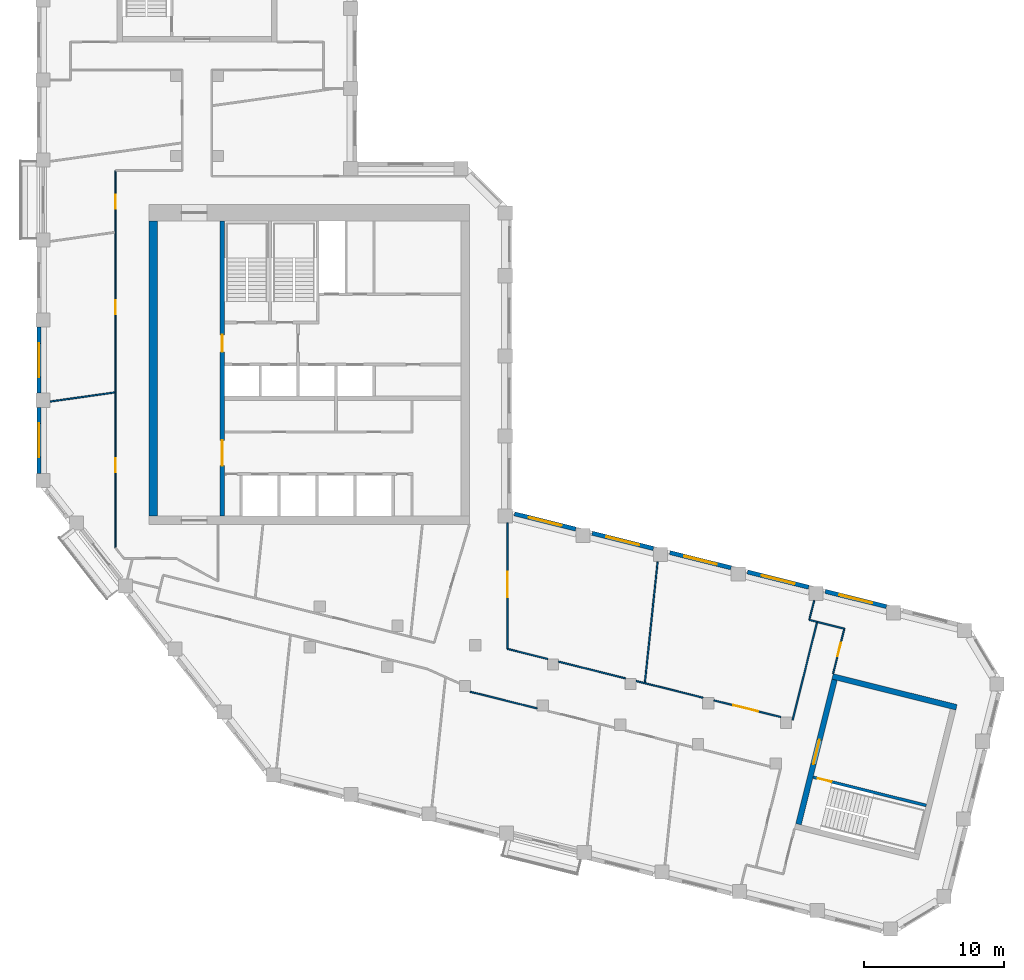
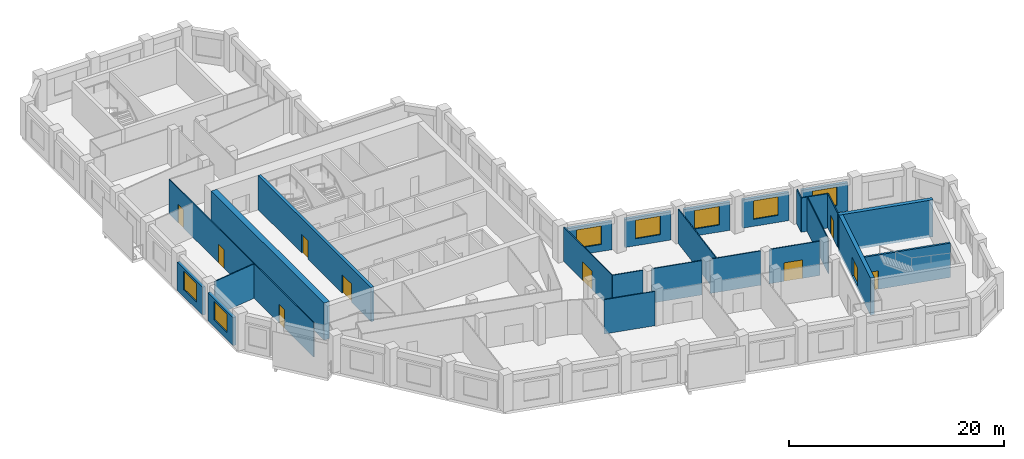
# One storey, part 4 of 9: 26 walls, 10 doors, 7 windows, 17 openings.
"""IFC4 building model written with IfcOpenShell, lengths in metres."""

from ifc_helpers import new_model, si_unit, direction, frame, frame_2d, origin, place, context, subcontext, project, spatial, rectangle, extrude, material, layer, layer_set, type_object, element, fill, save


model = new_model("IFC4")

# Units and contexts
model_context = context("Model", 3, precision=1e-05, world=origin(), true_north=direction((0.0, 1.0)))
body_context = subcontext(model_context, "Body", "Model", "MODEL_VIEW")
ifc_project = project(units=[si_unit("LENGTHUNIT", "METRE"), si_unit("AREAUNIT", "SQUARE_METRE"), si_unit("VOLUMEUNIT", "CUBIC_METRE"), si_unit("PLANEANGLEUNIT", "RADIAN"), si_unit("MASSUNIT", "GRAM", prefix="KILO")], contexts=[model_context])

# Site, building, storey
site_placement = place(None, origin())
site = spatial("IfcSite", under=ifc_project, at=site_placement, CompositionType="ELEMENT")
building_placement = place(site_placement, origin())
building = spatial("IfcBuilding", under=site, at=building_placement, Name="Meshkara Civic Tower", CompositionType="ELEMENT")
storey_placement = place(building_placement, frame((0.0, 0.0, 315.0)))
storey = spatial("IfcBuildingStorey", under=building, at=storey_placement, Name="L72", CompositionType="ELEMENT", Elevation=315.0)

# Wall
ifc_material_1 = material(Name="Concrete C60", Category="concrete")
ifc_layer_1 = layer(ifc_material_1, 0.60009765625)
ifc_layer_set_1 = layer_set([ifc_layer_1], Name="Core ring wall 600 C60")
wall_type_1 = type_object("IfcWallType", Name="Core ring wall 600 C60", PredefinedType="SHEAR", material=ifc_layer_set_1)
wall_1_placement = place(storey_placement, frame((8.300048828125, 14.699951171875, -0.300048828125), z_axis=(0.0, 0.0, 1.0), x_axis=(0.0, 1.0, 0.0)))
element("IfcWall", 1, at=wall_1_placement, inside=storey, type_object=wall_type_1, Name="L72-C003", PredefinedType="SHEAR", context=body_context, shape_type="SweptSolid", body=[
    extrude(rectangle(XDim=21.0, YDim=0.60009765625, at=frame_2d((10.5, 0.0))), origin(), (0.0, 0.0, 1.0), 4.199951171875),
])

# Wall, openings, doors
ifc_material_2 = material(Name="Concrete C60", Category="concrete")
ifc_layer_2 = layer(ifc_material_2, 0.300048828125)
ifc_layer_set_2 = layer_set([ifc_layer_2], Name="Core shear wall 300 C60")
wall_type_2 = type_object("IfcWallType", Name="Core shear wall 300 C60", PredefinedType="SHEAR", material=ifc_layer_set_2)
wall_2_placement = place(storey_placement, frame((13.199951171875, 14.699951171875, 0.0), z_axis=(0.0, 0.0, 1.0), x_axis=(0.0, 1.0, 0.0)))
wall_2 = element("IfcWall", 2, at=wall_2_placement, inside=storey, type_object=wall_type_2, Name="L72-C011", PredefinedType="SHEAR", context=body_context, shape_type="SweptSolid", body=[
    extrude(rectangle(XDim=21.0, YDim=0.300048828125, at=frame_2d((10.5, 0.0))), origin(), (0.0, 0.0, 1.0), 3.89990234375),
])
opening_1_placement = place(wall_2_placement, frame((3.60009765625, 0.0, 0.0)))
opening_1 = element("IfcOpeningElement", 3, at=opening_1_placement, cuts=wall_2, Name="Opening L72-K019", PredefinedType="OPENING", context=body_context, shape_type="SweptSolid", body=[
    extrude(rectangle(XDim=1.800048828125, YDim=2.10009765625, at=frame_2d((0.89990234375, 1.050048828125))), frame((0.0, 0.159912109375, 0.0), z_axis=(0.0, -1.0, 0.0), x_axis=(1.0, 0.0, 0.0)), (0.0, 0.0, 1.0), 0.320068359375),
])
opening_2_placement = place(wall_2_placement, frame((11.699951171875, 0.0, 0.0)))
opening_2 = element("IfcOpeningElement", 4, at=opening_2_placement, cuts=wall_2, Name="Opening L72-K020", PredefinedType="OPENING", context=body_context, shape_type="SweptSolid", body=[
    extrude(rectangle(XDim=1.199951171875, YDim=2.10009765625, at=frame_2d((0.60009765625, 1.050048828125))), frame((0.0, 0.159912109375, 0.0), z_axis=(0.0, -1.0, 0.0), x_axis=(1.0, 0.0, 0.0)), (0.0, 0.0, 1.0), 0.320068359375),
])
ifc_material_3 = material(Name="Fire-rated door leaf in steel frame", Category="steel")
door_type_1 = type_object("IfcDoorType", Name="Core double door 1800 EI 60", OperationType="DOUBLE_DOOR_SINGLE_SWING", PredefinedType="DOOR", material=ifc_material_3)
door_1_placement = place(opening_1_placement, origin())
door_1 = element("IfcDoor", 5, at=door_1_placement, inside=storey, type_object=door_type_1, Name="L72-K019", OperationType="DOUBLE_DOOR_SINGLE_SWING", OverallHeight=2.10009765625, OverallWidth=1.800048828125, PredefinedType="DOOR", context=body_context, shape_type="SweptSolid", body=[
    extrude(rectangle(XDim=1.800048828125, YDim=2.10009765625, at=frame_2d((0.89990234375, 1.050048828125))), frame((0.0, 0.02490234375, 0.0), z_axis=(0.0, -1.0, 0.0), x_axis=(1.0, 0.0, 0.0)), (0.0, 0.0, 1.0), 0.050048828125),
])
fill(opening_1, door_1)
ifc_material_4 = material(Name="Fire-rated door leaf in steel frame", Category="steel")
door_type_2 = type_object("IfcDoorType", Name="Fire-fighting lobby door 1200 EI 120", OperationType="SINGLE_SWING_LEFT", PredefinedType="DOOR", material=ifc_material_4)
door_2_placement = place(opening_2_placement, origin())
door_2 = element("IfcDoor", 6, at=door_2_placement, inside=storey, type_object=door_type_2, Name="L72-K020", OperationType="SINGLE_SWING_LEFT", OverallHeight=2.10009765625, OverallWidth=1.199951171875, PredefinedType="DOOR", context=body_context, shape_type="SweptSolid", body=[
    extrude(rectangle(XDim=1.199951171875, YDim=2.10009765625, at=frame_2d((0.60009765625, 1.050048828125))), frame((0.0, 0.02490234375, 0.0), z_axis=(0.0, -1.0, 0.0), x_axis=(1.0, 0.0, 0.0)), (0.0, 0.0, 1.0), 0.050048828125),
])
fill(opening_2, door_2)

ifc_material_5 = material(Name="Corridor wall 100")
ifc_layer_3 = layer(ifc_material_5, 0.10009765625)
ifc_layer_set_3 = layer_set([ifc_layer_3], Name="Corridor wall 100")
wall_type_3 = type_object("IfcWallType", Name="Corridor wall 100", PredefinedType="PARTITIONING", material=ifc_layer_set_3)
wall_3_placement = place(storey_placement, frame((5.60009765625, 12.449951171875, 0.0), z_axis=(0.0, 0.0, 1.0), x_axis=(0.0, 1.0, 0.0)))
wall_3 = element("IfcWall", 7, at=wall_3_placement, inside=storey, type_object=wall_type_3, Name="L72-W003", PredefinedType="PARTITIONING", context=body_context, shape_type="SweptSolid", body=[
    extrude(rectangle(XDim=26.85009765625, YDim=0.10009765625, at=frame_2d((13.425048828125, 0.0))), origin(), (0.0, 0.0, 1.0), 3.89990234375),
])
opening_3_placement = place(wall_3_placement, frame((5.3798828125, 0.0, 0.0)))
opening_3 = element("IfcOpeningElement", 8, at=opening_3_placement, cuts=wall_3, Name="Opening L72-D013", PredefinedType="OPENING", context=body_context, shape_type="SweptSolid", body=[
    extrude(rectangle(XDim=1.0, YDim=2.10009765625, at=frame_2d((0.5, 1.050048828125))), frame((0.0, 0.06005859375, 0.0), z_axis=(0.0, -1.0, 0.0), x_axis=(1.0, 0.0, 0.0)), (0.0, 0.0, 1.0), 0.1201171875),
])
opening_4_placement = place(wall_3_placement, frame((16.638916015625, 0.0, 0.0)))
opening_4 = element("IfcOpeningElement", 9, at=opening_4_placement, cuts=wall_3, Name="Opening L72-D014", PredefinedType="OPENING", context=body_context, shape_type="SweptSolid", body=[
    extrude(rectangle(XDim=1.0, YDim=2.10009765625, at=frame_2d((0.5, 1.050048828125))), frame((0.0, 0.06005859375, 0.0), z_axis=(0.0, -1.0, 0.0), x_axis=(1.0, 0.0, 0.0)), (0.0, 0.0, 1.0), 0.1201171875),
])
opening_5_placement = place(wall_3_placement, frame((24.138916015625, 0.0, 0.0)))
opening_5 = element("IfcOpeningElement", 10, at=opening_5_placement, cuts=wall_3, Name="Opening L72-D015", PredefinedType="OPENING", context=body_context, shape_type="SweptSolid", body=[
    extrude(rectangle(XDim=1.0, YDim=2.10009765625, at=frame_2d((0.5, 1.050048828125))), frame((0.0, 0.06005859375, 0.0), z_axis=(0.0, -1.0, 0.0), x_axis=(1.0, 0.0, 0.0)), (0.0, 0.0, 1.0), 0.1201171875),
])
ifc_material_6 = material(Name="Door 1000 x 2100")
door_type_3 = type_object("IfcDoorType", Name="Door 1000 x 2100", OperationType="SINGLE_SWING_LEFT", PredefinedType="DOOR", material=ifc_material_6)
door_3_placement = place(opening_3_placement, origin())
door_3 = element("IfcDoor", 11, at=door_3_placement, inside=storey, type_object=door_type_3, Name="L72-D013", OperationType="SINGLE_SWING_RIGHT", OverallHeight=2.10009765625, OverallWidth=1.0, PredefinedType="DOOR", context=body_context, shape_type="SweptSolid", body=[
    extrude(rectangle(XDim=1.0, YDim=2.10009765625, at=frame_2d((0.5, 1.050048828125))), frame((0.0, 0.02490234375, 0.0), z_axis=(0.0, -1.0, 0.0), x_axis=(1.0, 0.0, 0.0)), (0.0, 0.0, 1.0), 0.050048828125),
])
fill(opening_3, door_3)
door_4_placement = place(opening_4_placement, origin())
door_4 = element("IfcDoor", 12, at=door_4_placement, inside=storey, type_object=door_type_3, Name="L72-D014", OperationType="SINGLE_SWING_RIGHT", OverallHeight=2.10009765625, OverallWidth=1.0, PredefinedType="DOOR", context=body_context, shape_type="SweptSolid", body=[
    extrude(rectangle(XDim=1.0, YDim=2.10009765625, at=frame_2d((0.5, 1.050048828125))), frame((0.0, 0.02490234375, 0.0), z_axis=(0.0, -1.0, 0.0), x_axis=(1.0, 0.0, 0.0)), (0.0, 0.0, 1.0), 0.050048828125),
])
fill(opening_4, door_4)
door_5_placement = place(opening_5_placement, origin())
door_5 = element("IfcDoor", 13, at=door_5_placement, inside=storey, type_object=door_type_3, Name="L72-D015", OperationType="SINGLE_SWING_LEFT", OverallHeight=2.10009765625, OverallWidth=1.0, PredefinedType="DOOR", context=body_context, shape_type="SweptSolid", body=[
    extrude(rectangle(XDim=1.0, YDim=2.10009765625, at=frame_2d((0.5, 1.050048828125))), frame((0.0, 0.02490234375, 0.0), z_axis=(0.0, -1.0, 0.0), x_axis=(1.0, 0.0, 0.0)), (0.0, 0.0, 1.0), 0.050048828125),
])
fill(opening_5, door_5)

# Wall
wall_4_placement = place(storey_placement, frame((30.84912109375, 2.201904296875, 0.0), z_axis=(0.0, 0.0, 1.0), x_axis=(0.970320559999, -0.241822271189, 0.0)))
element("IfcWall", 14, at=wall_4_placement, inside=storey, type_object=wall_type_3, Name="L72-W020", PredefinedType="PARTITIONING", context=body_context, shape_type="SweptSolid", body=[
    extrude(rectangle(XDim=4.91259765625, YDim=0.10009765625, at=frame_2d((2.456298828125, 0.0))), origin(), (0.0, 0.0, 1.0), 3.89990234375),
])

# Wall, opening, door
wall_5_placement = place(storey_placement, frame((33.5, 5.2509765625, 0.0), z_axis=(0.0, 0.0, 1.0), x_axis=(0.0, 1.0, 0.0)))
wall_5 = element("IfcWall", 15, at=wall_5_placement, inside=storey, type_object=wall_type_3, Name="L72-W022", PredefinedType="PARTITIONING", context=body_context, shape_type="SweptSolid", body=[
    extrude(rectangle(XDim=8.968017578125, YDim=0.10009765625, at=frame_2d((4.48388671875, 0.0))), origin(), (0.0, 0.0, 1.0), 3.89990234375),
])
opening_6_placement = place(wall_5_placement, frame((3.679931640625, 0.0, 0.0)))
opening_6 = element("IfcOpeningElement", 16, at=opening_6_placement, cuts=wall_5, Name="Opening L72-D012", PredefinedType="OPENING", context=body_context, shape_type="SweptSolid", body=[
    extrude(rectangle(XDim=1.800048828125, YDim=2.10009765625, at=frame_2d((0.89990234375, 1.050048828125))), frame((0.0, 0.06005859375, 0.0), z_axis=(0.0, -1.0, 0.0), x_axis=(1.0, 0.0, 0.0)), (0.0, 0.0, 1.0), 0.1201171875),
])
ifc_material_7 = material(Name="Door pair 1800 x 2100")
door_type_4 = type_object("IfcDoorType", Name="Door pair 1800 x 2100", OperationType="SINGLE_SWING_LEFT", PredefinedType="DOOR", material=ifc_material_7)
door_6_placement = place(opening_6_placement, origin())
door_6 = element("IfcDoor", 17, at=door_6_placement, inside=storey, type_object=door_type_4, Name="L72-D012", OperationType="DOUBLE_DOOR_SINGLE_SWING", OverallHeight=2.10009765625, OverallWidth=1.800048828125, PredefinedType="DOOR", context=body_context, shape_type="SweptSolid", body=[
    extrude(rectangle(XDim=1.800048828125, YDim=2.10009765625, at=frame_2d((0.89990234375, 1.050048828125))), frame((0.0, 0.02490234375, 0.0), z_axis=(0.0, -1.0, 0.0), x_axis=(1.0, 0.0, 0.0)), (0.0, 0.0, 1.0), 0.050048828125),
])
fill(opening_6, door_6)

# Walls
wall_6_placement = place(storey_placement, frame((36.376953125, 4.533935546875, 0.0), z_axis=(0.0, 0.0, 1.0), x_axis=(-0.97031662044, 0.241838078261, 0.0)))
element("IfcWall", 18, at=wall_6_placement, inside=storey, type_object=wall_type_3, Name="L72-W024", PredefinedType="PARTITIONING", context=body_context, shape_type="SweptSolid", body=[
    extrude(rectangle(XDim=2.96484375, YDim=0.10009765625, at=frame_2d((1.482421875, 0.0))), origin(), (0.0, 0.0, 1.0), 3.89990234375),
])
wall_7_placement = place(storey_placement, frame((41.908935546875, 3.155029296875, 0.0), z_axis=(0.0, 0.0, 1.0), x_axis=(-0.970320559999, 0.241822271189, 0.0)))
element("IfcWall", 19, at=wall_7_placement, inside=storey, type_object=wall_type_3, Name="L72-W026", PredefinedType="PARTITIONING", context=body_context, shape_type="SweptSolid", body=[
    extrude(rectangle(XDim=4.91259765625, YDim=0.10009765625, at=frame_2d((2.456298828125, 0.0))), origin(), (0.0, 0.0, 1.0), 3.89990234375),
])
wall_8_placement = place(storey_placement, frame((42.672119140625, 2.965087890625, 0.0), z_axis=(0.0, 0.0, 1.0), x_axis=(0.970273873313, -0.242009526187, 0.0)))
element("IfcWall", 20, at=wall_8_placement, inside=storey, type_object=wall_type_3, Name="L72-W027", PredefinedType="PARTITIONING", context=body_context, shape_type="SweptSolid", body=[
    extrude(rectangle(XDim=4.913818359375, YDim=0.10009765625, at=frame_2d((2.45703125, 0.0))), origin(), (0.0, 0.0, 1.0), 3.89990234375),
])

# Wall, opening, door
wall_9_placement = place(storey_placement, frame((52.971923828125, 0.39697265625, 0.0), z_axis=(0.0, 0.0, 1.0), x_axis=(-0.970300077675, 0.241904442422, 0.0)))
wall_9 = element("IfcWall", 21, at=wall_9_placement, inside=storey, type_object=wall_type_3, Name="L72-W031", PredefinedType="PARTITIONING", context=body_context, shape_type="SweptSolid", body=[
    extrude(rectangle(XDim=4.9150390625, YDim=0.10009765625, at=frame_2d((2.45751953125, 0.0))), origin(), (0.0, 0.0, 1.0), 3.89990234375),
])
opening_7_placement = place(wall_9_placement, frame((1.679931640625, 0.0, 0.0)))
opening_7 = element("IfcOpeningElement", 22, at=opening_7_placement, cuts=wall_9, Name="Opening L72-D006", PredefinedType="OPENING", context=body_context, shape_type="SweptSolid", body=[
    extrude(rectangle(XDim=1.800048828125, YDim=2.10009765625, at=frame_2d((0.89990234375, 1.050048828125))), frame((0.0, 0.06005859375, 0.0), z_axis=(0.0, -1.0, 0.0), x_axis=(1.0, 0.0, 0.0)), (0.0, 0.0, 1.0), 0.1201171875),
])
door_7_placement = place(opening_7_placement, origin())
door_7 = element("IfcDoor", 23, at=door_7_placement, inside=storey, type_object=door_type_4, Name="L72-D006", OperationType="DOUBLE_DOOR_SINGLE_SWING", OverallHeight=2.10009765625, OverallWidth=1.800048828125, PredefinedType="DOOR", context=body_context, shape_type="SweptSolid", body=[
    extrude(rectangle(XDim=1.800048828125, YDim=2.10009765625, at=frame_2d((0.89990234375, 1.050048828125))), frame((0.0, 0.02490234375, 0.0), z_axis=(0.0, -1.0, 0.0), x_axis=(1.0, 0.0, 0.0)), (0.0, 0.0, 1.0), 0.050048828125),
])
fill(opening_7, door_7)

# Wall
wall_10_placement = place(storey_placement, frame((55.555908203125, 7.173095703125, 0.0), z_axis=(0.0, 0.0, 1.0), x_axis=(-0.241937193493, -0.970291911955, 0.0)))
element("IfcWall", 24, at=wall_10_placement, inside=storey, type_object=wall_type_3, Name="L72-W033", PredefinedType="PARTITIONING", context=body_context, shape_type="SweptSolid", body=[
    extrude(rectangle(XDim=7.199951171875, YDim=0.10009765625, at=frame_2d((3.60009765625, 0.0))), origin(), (0.0, 0.0, 1.0), 3.89990234375),
])

# Wall, opening, door
wall_11_placement = place(storey_placement, frame((56.697998046875, 3.487060546875, 0.0), z_axis=(0.0, 0.0, 1.0), x_axis=(0.241856645367, 0.970311992656, 0.0)))
wall_11 = element("IfcWall", 25, at=wall_11_placement, inside=storey, type_object=wall_type_3, Name="L72-W034", PredefinedType="PARTITIONING", context=body_context, shape_type="SweptSolid", body=[
    extrude(rectangle(XDim=3.2998046875, YDim=0.10009765625, at=frame_2d((1.64990234375, 0.0))), origin(), (0.0, 0.0, 1.0), 3.89990234375),
])
opening_8_placement = place(wall_11_placement, frame((1.280029296875, 0.0, 0.0)))
opening_8 = element("IfcOpeningElement", 26, at=opening_8_placement, cuts=wall_11, Name="Opening L72-D007", PredefinedType="OPENING", context=body_context, shape_type="SweptSolid", body=[
    extrude(rectangle(XDim=1.0, YDim=2.10009765625, at=frame_2d((0.5, 1.050048828125))), frame((0.0, 0.06005859375, 0.0), z_axis=(0.0, -1.0, 0.0), x_axis=(1.0, 0.0, 0.0)), (0.0, 0.0, 1.0), 0.1201171875),
])
door_8_placement = place(opening_8_placement, origin())
door_8 = element("IfcDoor", 27, at=door_8_placement, inside=storey, type_object=door_type_3, Name="L72-D007", OperationType="SINGLE_SWING_LEFT", OverallHeight=2.10009765625, OverallWidth=1.0, PredefinedType="DOOR", context=body_context, shape_type="SweptSolid", body=[
    extrude(rectangle(XDim=1.0, YDim=2.10009765625, at=frame_2d((0.5, 1.050048828125))), frame((0.0, 0.02490234375, 0.0), z_axis=(0.0, -1.0, 0.0), x_axis=(1.0, 0.0, 0.0)), (0.0, 0.0, 1.0), 0.050048828125),
])
fill(opening_8, door_8)

# Wall
wall_12_placement = place(storey_placement, frame((57.49609375, 6.68896484375, 0.0), z_axis=(0.0, 0.0, 1.0), x_axis=(-0.970250131019, 0.242104694829, 0.0)))
element("IfcWall", 28, at=wall_12_placement, inside=storey, type_object=wall_type_3, Name="L72-W035", PredefinedType="PARTITIONING", context=body_context, shape_type="SweptSolid", body=[
    extrude(rectangle(XDim=1.999755859375, YDim=0.10009765625, at=frame_2d((1.0, 0.0))), origin(), (0.0, 0.0, 1.0), 3.89990234375),
])

# Wall, opening, window
ifc_material_8 = material(Name="Insulated infill panel with bronze anodised aluminium cladding", Category="aluminium")
ifc_layer_4 = layer(ifc_material_8, 0.300048828125)
ifc_layer_set_4 = layer_set([ifc_layer_4], Name="EXTERNAL INFILL WALL 300")
wall_type_4 = type_object("IfcWallType", Name="EXTERNAL INFILL WALL 300", PredefinedType="SOLIDWALL", material=ifc_layer_set_4)
wall_13_placement = place(storey_placement, frame((60.488037109375, 8.261962890625, 0.0), z_axis=(0.0, 0.0, 1.0), x_axis=(-0.970276766004, 0.241997928406, 0.0)))
wall_13 = element("IfcWall", 29, at=wall_13_placement, inside=storey, type_object=wall_type_4, Name="External wall", PredefinedType="SOLIDWALL", context=body_context, shape_type="SweptSolid", body=[
    extrude(rectangle(XDim=4.4873046875, YDim=0.300048828125, at=frame_2d((2.24365234375, 0.0))), origin(), (0.0, 0.0, 1.0), 3.199951171875),
])
opening_9_placement = place(wall_13_placement, frame((1.0439453125, 0.0, 0.800048828125)))
opening_9 = element("IfcOpeningElement", 30, at=opening_9_placement, cuts=wall_13, Name="Opening W7", PredefinedType="OPENING", context=body_context, shape_type="SweptSolid", body=[
    extrude(rectangle(XDim=2.39990234375, YDim=2.10009765625, at=frame_2d((1.199951171875, 1.050048828125))), frame((0.0, 0.159912109375, 0.0), z_axis=(0.0, -1.0, 0.0), x_axis=(1.0, 0.0, 0.0)), (0.0, 0.0, 1.0), 0.320068359375),
])
ifc_material_9 = material(Name="Tinted double glazing", Category="glass")
window_type = type_object("IfcWindowType", Name="WINDOW 2400x2100", PartitioningType="DOUBLE_PANEL_VERTICAL", PredefinedType="WINDOW", material=ifc_material_9)
window_1_placement = place(opening_9_placement, origin())
window_1 = element("IfcWindow", 31, at=window_1_placement, inside=storey, type_object=window_type, Name="Window", OverallHeight=2.10009765625, OverallWidth=2.39990234375, PartitioningType="DOUBLE_PANEL_VERTICAL", PredefinedType="WINDOW", context=body_context, shape_type="SweptSolid", body=[
    extrude(rectangle(XDim=2.39990234375, YDim=2.10009765625, at=frame_2d((1.199951171875, 1.050048828125))), frame((0.0, 0.030029296875, 0.0), z_axis=(0.0, -1.0, 0.0), x_axis=(1.0, 0.0, 0.0)), (0.0, 0.0, 1.0), 0.06005859375),
])
fill(opening_9, window_1)

wall_14_placement = place(storey_placement, frame((54.9580078125, 9.64111328125, 0.0), z_axis=(0.0, 0.0, 1.0), x_axis=(-0.970289506684, 0.241946839653, 0.0)))
wall_14 = element("IfcWall", 32, at=wall_14_placement, inside=storey, type_object=wall_type_4, Name="External wall", PredefinedType="SOLIDWALL", context=body_context, shape_type="SweptSolid", body=[
    extrude(rectangle(XDim=4.48828125, YDim=0.300048828125, at=frame_2d((2.244140625, 0.0))), origin(), (0.0, 0.0, 1.0), 3.199951171875),
])
opening_10_placement = place(wall_14_placement, frame((1.0439453125, 0.0, 0.800048828125)))
opening_10 = element("IfcOpeningElement", 33, at=opening_10_placement, cuts=wall_14, Name="Opening W7", PredefinedType="OPENING", context=body_context, shape_type="SweptSolid", body=[
    extrude(rectangle(XDim=2.39990234375, YDim=2.10009765625, at=frame_2d((1.199951171875, 1.050048828125))), frame((0.0, 0.159912109375, 0.0), z_axis=(0.0, -1.0, 0.0), x_axis=(1.0, 0.0, 0.0)), (0.0, 0.0, 1.0), 0.320068359375),
])
window_2_placement = place(opening_10_placement, origin())
window_2 = element("IfcWindow", 34, at=window_2_placement, inside=storey, type_object=window_type, Name="Window", OverallHeight=2.10009765625, OverallWidth=2.39990234375, PartitioningType="DOUBLE_PANEL_VERTICAL", PredefinedType="WINDOW", context=body_context, shape_type="SweptSolid", body=[
    extrude(rectangle(XDim=2.39990234375, YDim=2.10009765625, at=frame_2d((1.199951171875, 1.050048828125))), frame((0.0, 0.030029296875, 0.0), z_axis=(0.0, -1.0, 0.0), x_axis=(1.0, 0.0, 0.0)), (0.0, 0.0, 1.0), 0.06005859375),
])
fill(opening_10, window_2)

wall_15_placement = place(storey_placement, frame((49.427001953125, 11.02001953125, 0.0), z_axis=(0.0, 0.0, 1.0), x_axis=(-0.970289506684, 0.241946839653, 0.0)))
wall_15 = element("IfcWall", 35, at=wall_15_placement, inside=storey, type_object=wall_type_4, Name="External wall", PredefinedType="SOLIDWALL", context=body_context, shape_type="SweptSolid", body=[
    extrude(rectangle(XDim=4.48828125, YDim=0.300048828125, at=frame_2d((2.244140625, 0.0))), origin(), (0.0, 0.0, 1.0), 3.199951171875),
])
opening_11_placement = place(wall_15_placement, frame((1.0439453125, 0.0, 0.800048828125)))
opening_11 = element("IfcOpeningElement", 36, at=opening_11_placement, cuts=wall_15, Name="Opening W7", PredefinedType="OPENING", context=body_context, shape_type="SweptSolid", body=[
    extrude(rectangle(XDim=2.39990234375, YDim=2.10009765625, at=frame_2d((1.199951171875, 1.050048828125))), frame((0.0, 0.159912109375, 0.0), z_axis=(0.0, -1.0, 0.0), x_axis=(1.0, 0.0, 0.0)), (0.0, 0.0, 1.0), 0.320068359375),
])
window_3_placement = place(opening_11_placement, origin())
window_3 = element("IfcWindow", 37, at=window_3_placement, inside=storey, type_object=window_type, Name="Window", OverallHeight=2.10009765625, OverallWidth=2.39990234375, PartitioningType="DOUBLE_PANEL_VERTICAL", PredefinedType="WINDOW", context=body_context, shape_type="SweptSolid", body=[
    extrude(rectangle(XDim=2.39990234375, YDim=2.10009765625, at=frame_2d((1.199951171875, 1.050048828125))), frame((0.0, 0.030029296875, 0.0), z_axis=(0.0, -1.0, 0.0), x_axis=(1.0, 0.0, 0.0)), (0.0, 0.0, 1.0), 0.06005859375),
])
fill(opening_11, window_3)

wall_16_placement = place(storey_placement, frame((43.89599609375, 12.39892578125, 0.0), z_axis=(0.0, 0.0, 1.0), x_axis=(-0.970263990019, 0.242049147224, 0.0)))
wall_16 = element("IfcWall", 38, at=wall_16_placement, inside=storey, type_object=wall_type_4, Name="External wall", PredefinedType="SOLIDWALL", context=body_context, shape_type="SweptSolid", body=[
    extrude(rectangle(XDim=4.487548828125, YDim=0.300048828125, at=frame_2d((2.24365234375, 0.0))), origin(), (0.0, 0.0, 1.0), 3.199951171875),
])
opening_12_placement = place(wall_16_placement, frame((1.0439453125, 0.0, 0.800048828125)))
opening_12 = element("IfcOpeningElement", 39, at=opening_12_placement, cuts=wall_16, Name="Opening W7", PredefinedType="OPENING", context=body_context, shape_type="SweptSolid", body=[
    extrude(rectangle(XDim=2.39990234375, YDim=2.10009765625, at=frame_2d((1.199951171875, 1.050048828125))), frame((0.0, 0.159912109375, 0.0), z_axis=(0.0, -1.0, 0.0), x_axis=(1.0, 0.0, 0.0)), (0.0, 0.0, 1.0), 0.320068359375),
])
window_4_placement = place(opening_12_placement, origin())
window_4 = element("IfcWindow", 40, at=window_4_placement, inside=storey, type_object=window_type, Name="Window", OverallHeight=2.10009765625, OverallWidth=2.39990234375, PartitioningType="DOUBLE_PANEL_VERTICAL", PredefinedType="WINDOW", context=body_context, shape_type="SweptSolid", body=[
    extrude(rectangle(XDim=2.39990234375, YDim=2.10009765625, at=frame_2d((1.199951171875, 1.050048828125))), frame((0.0, 0.030029296875, 0.0), z_axis=(0.0, -1.0, 0.0), x_axis=(1.0, 0.0, 0.0)), (0.0, 0.0, 1.0), 0.06005859375),
])
fill(opening_12, window_4)

wall_17_placement = place(storey_placement, frame((38.365966796875, 13.778076171875, 0.0), z_axis=(0.0, 0.0, 1.0), x_axis=(-0.970289506684, 0.241946839653, 0.0)))
wall_17 = element("IfcWall", 41, at=wall_17_placement, inside=storey, type_object=wall_type_4, Name="External wall", PredefinedType="SOLIDWALL", context=body_context, shape_type="SweptSolid", body=[
    extrude(rectangle(XDim=4.48828125, YDim=0.300048828125, at=frame_2d((2.244140625, 0.0))), origin(), (0.0, 0.0, 1.0), 3.199951171875),
])
opening_13_placement = place(wall_17_placement, frame((1.0439453125, 0.0, 0.800048828125)))
opening_13 = element("IfcOpeningElement", 42, at=opening_13_placement, cuts=wall_17, Name="Opening W7", PredefinedType="OPENING", context=body_context, shape_type="SweptSolid", body=[
    extrude(rectangle(XDim=2.39990234375, YDim=2.10009765625, at=frame_2d((1.199951171875, 1.050048828125))), frame((0.0, 0.159912109375, 0.0), z_axis=(0.0, -1.0, 0.0), x_axis=(1.0, 0.0, 0.0)), (0.0, 0.0, 1.0), 0.320068359375),
])
window_5_placement = place(opening_13_placement, origin())
window_5 = element("IfcWindow", 43, at=window_5_placement, inside=storey, type_object=window_type, Name="Window", OverallHeight=2.10009765625, OverallWidth=2.39990234375, PartitioningType="DOUBLE_PANEL_VERTICAL", PredefinedType="WINDOW", context=body_context, shape_type="SweptSolid", body=[
    extrude(rectangle(XDim=2.39990234375, YDim=2.10009765625, at=frame_2d((1.199951171875, 1.050048828125))), frame((0.0, 0.030029296875, 0.0), z_axis=(0.0, -1.0, 0.0), x_axis=(1.0, 0.0, 0.0)), (0.0, 0.0, 1.0), 0.06005859375),
])
fill(opening_13, window_5)

wall_18_placement = place(storey_placement, frame((0.14990234375, 28.155029296875, 0.0), z_axis=(0.0, 0.0, 1.0), x_axis=(0.0, -1.0, 0.0)))
wall_18 = element("IfcWall", 44, at=wall_18_placement, inside=storey, type_object=wall_type_4, Name="External wall", PredefinedType="SOLIDWALL", context=body_context, shape_type="SweptSolid", body=[
    extrude(rectangle(XDim=4.699951171875, YDim=0.300048828125, at=frame_2d((2.35009765625, 0.0))), origin(), (0.0, 0.0, 1.0), 3.199951171875),
])
opening_14_placement = place(wall_18_placement, frame((1.14990234375, 0.0, 0.800048828125)))
opening_14 = element("IfcOpeningElement", 45, at=opening_14_placement, cuts=wall_18, Name="Opening W7", PredefinedType="OPENING", context=body_context, shape_type="SweptSolid", body=[
    extrude(rectangle(XDim=2.39990234375, YDim=2.10009765625, at=frame_2d((1.199951171875, 1.050048828125))), frame((0.0, 0.159912109375, 0.0), z_axis=(0.0, -1.0, 0.0), x_axis=(1.0, 0.0, 0.0)), (0.0, 0.0, 1.0), 0.320068359375),
])
window_6_placement = place(opening_14_placement, origin())
window_6 = element("IfcWindow", 46, at=window_6_placement, inside=storey, type_object=window_type, Name="Window", OverallHeight=2.10009765625, OverallWidth=2.39990234375, PartitioningType="DOUBLE_PANEL_VERTICAL", PredefinedType="WINDOW", context=body_context, shape_type="SweptSolid", body=[
    extrude(rectangle(XDim=2.39990234375, YDim=2.10009765625, at=frame_2d((1.199951171875, 1.050048828125))), frame((0.0, 0.030029296875, 0.0), z_axis=(0.0, -1.0, 0.0), x_axis=(1.0, 0.0, 0.0)), (0.0, 0.0, 1.0), 0.06005859375),
])
fill(opening_14, window_6)

wall_19_placement = place(storey_placement, frame((0.14990234375, 22.455078125, 0.0), z_axis=(0.0, 0.0, 1.0), x_axis=(0.0, -1.0, 0.0)))
wall_19 = element("IfcWall", 47, at=wall_19_placement, inside=storey, type_object=wall_type_4, Name="External wall", PredefinedType="SOLIDWALL", context=body_context, shape_type="SweptSolid", body=[
    extrude(rectangle(XDim=4.7001953125, YDim=0.300048828125, at=frame_2d((2.35009765625, 0.0))), origin(), (0.0, 0.0, 1.0), 3.199951171875),
])
opening_15_placement = place(wall_19_placement, frame((1.14990234375, 0.0, 0.800048828125)))
opening_15 = element("IfcOpeningElement", 48, at=opening_15_placement, cuts=wall_19, Name="Opening W7", PredefinedType="OPENING", context=body_context, shape_type="SweptSolid", body=[
    extrude(rectangle(XDim=2.39990234375, YDim=2.10009765625, at=frame_2d((1.199951171875, 1.050048828125))), frame((0.0, 0.159912109375, 0.0), z_axis=(0.0, -1.0, 0.0), x_axis=(1.0, 0.0, 0.0)), (0.0, 0.0, 1.0), 0.320068359375),
])
window_7_placement = place(opening_15_placement, origin())
window_7 = element("IfcWindow", 49, at=window_7_placement, inside=storey, type_object=window_type, Name="Window", OverallHeight=2.10009765625, OverallWidth=2.39990234375, PartitioningType="DOUBLE_PANEL_VERTICAL", PredefinedType="WINDOW", context=body_context, shape_type="SweptSolid", body=[
    extrude(rectangle(XDim=2.39990234375, YDim=2.10009765625, at=frame_2d((1.199951171875, 1.050048828125))), frame((0.0, 0.030029296875, 0.0), z_axis=(0.0, -1.0, 0.0), x_axis=(1.0, 0.0, 0.0)), (0.0, 0.0, 1.0), 0.06005859375),
])
fill(opening_15, window_7)

# Wall
ifc_material_10 = material(Name="Concrete C60", Category="concrete")
ifc_layer_5 = layer(ifc_material_10, 0.39990234375)
ifc_layer_set_5 = layer_set([ifc_layer_5], Name="End core ring wall 400 C60")
wall_type_5 = type_object("IfcWallType", Name="End core ring wall 400 C60", PredefinedType="SHEAR", material=ifc_layer_set_5)
wall_20_placement = place(storey_placement, frame((56.64892578125, 3.29296875, -0.300048828125), z_axis=(0.0, 0.0, 1.0), x_axis=(0.970312696888, -0.241853820019, 0.0)))
element("IfcWall", 50, at=wall_20_placement, inside=storey, type_object=wall_type_5, Name="L72-C033", PredefinedType="SHEAR", context=body_context, shape_type="SweptSolid", body=[
    extrude(rectangle(XDim=9.100341796875, YDim=0.39990234375, at=frame_2d((4.55029296875, 0.0))), origin(), (0.0, 0.0, 1.0), 4.199951171875),
])

# Wall, opening, door
wall_21_placement = place(storey_placement, frame((54.23095703125, -7.23388671875, -0.300048828125), z_axis=(0.0, 0.0, 1.0), x_axis=(0.241890652548, 0.970303515509, 0.0)))
wall_21 = element("IfcWall", 51, at=wall_21_placement, inside=storey, type_object=wall_type_5, Name="L72-C034", PredefinedType="SHEAR", context=body_context, shape_type="SweptSolid", body=[
    extrude(rectangle(XDim=10.599609375, YDim=0.39990234375, at=frame_2d((5.2998046875, 0.0))), origin(), (0.0, 0.0, 1.0), 4.199951171875),
])
opening_16_placement = place(wall_21_placement, frame((4.39990234375, 0.0, 0.300048828125)))
opening_16 = element("IfcOpeningElement", 52, at=opening_16_placement, cuts=wall_21, Name="Opening L72-K202", PredefinedType="OPENING", context=body_context, shape_type="SweptSolid", body=[
    extrude(rectangle(XDim=1.800048828125, YDim=2.10009765625, at=frame_2d((0.89990234375, 1.050048828125))), frame((0.0, 0.2099609375, 0.0), z_axis=(0.0, -1.0, 0.0), x_axis=(1.0, 0.0, 0.0)), (0.0, 0.0, 1.0), 0.419921875),
])
door_9_placement = place(opening_16_placement, origin())
door_9 = element("IfcDoor", 53, at=door_9_placement, inside=storey, type_object=door_type_1, Name="L72-K202", OperationType="DOUBLE_DOOR_SINGLE_SWING", OverallHeight=2.10009765625, OverallWidth=1.800048828125, PredefinedType="DOOR", context=body_context, shape_type="SweptSolid", body=[
    extrude(rectangle(XDim=1.800048828125, YDim=2.10009765625, at=frame_2d((0.89990234375, 1.050048828125))), frame((0.0, 0.02490234375, 0.0), z_axis=(0.0, -1.0, 0.0), x_axis=(1.0, 0.0, 0.0)), (0.0, 0.0, 1.0), 0.050048828125),
])
fill(opening_16, door_9)

# Walls
ifc_material_11 = material(Name="Partition 100")
ifc_layer_6 = layer(ifc_material_11, 0.10009765625)
ifc_layer_set_6 = layer_set([ifc_layer_6], Name="Partition 100")
wall_type_6 = type_object("IfcWallType", Name="Partition 100", PredefinedType="PARTITIONING", material=ifc_layer_set_6)
wall_22_placement = place(storey_placement, frame((5.54296875, 23.509033203125, 0.0), z_axis=(0.0, 0.0, 1.0), x_axis=(-0.990253516423, -0.139276606839, 0.0)))
element("IfcWall", 54, at=wall_22_placement, inside=storey, type_object=wall_type_6, Name="L72-W038", PredefinedType="PARTITIONING", context=body_context, shape_type="SweptSolid", body=[
    extrude(rectangle(XDim=4.63818359375, YDim=0.10009765625, at=frame_2d((2.319091796875, 0.0))), origin(), (0.0, 0.0, 1.0), 3.89990234375),
])
wall_23_placement = place(storey_placement, frame((43.294921875, 2.867919921875, 0.0), z_axis=(0.0, 0.0, 1.0), x_axis=(0.10451857643, 0.994522934467, 0.0)))
element("IfcWall", 55, at=wall_23_placement, inside=storey, type_object=wall_type_6, Name="L72-W051", PredefinedType="PARTITIONING", context=body_context, shape_type="SweptSolid", body=[
    extrude(rectangle(XDim=8.640380859375, YDim=0.10009765625, at=frame_2d((4.3203125, 0.0))), origin(), (0.0, 0.0, 1.0), 3.89990234375),
])
wall_24_placement = place(storey_placement, frame((55.0009765625, 7.31103515625, 0.0), z_axis=(0.0, 0.0, 1.0), x_axis=(0.24185476373, 0.970312461664, 0.0)))
element("IfcWall", 56, at=wall_24_placement, inside=storey, type_object=wall_type_6, Name="L72-W055", PredefinedType="PARTITIONING", context=body_context, shape_type="SweptSolid", body=[
    extrude(rectangle(XDim=1.434326171875, YDim=0.10009765625, at=frame_2d((0.71728515625, 0.0))), origin(), (0.0, 0.0, 1.0), 3.89990234375),
])
wall_25_placement = place(storey_placement, frame((55.56005859375, 7.172119140625, 0.0), z_axis=(0.0, 0.0, 1.0), x_axis=(-0.970490503334, 0.241139343405, 0.0)))
element("IfcWall", 57, at=wall_25_placement, inside=storey, type_object=wall_type_6, Name="L72-W056", PredefinedType="PARTITIONING", context=body_context, shape_type="SweptSolid", body=[
    extrude(rectangle(XDim=0.576171875, YDim=0.10009765625, at=frame_2d((0.2880859375, 0.0))), origin(), (0.0, 0.0, 1.0), 3.89990234375),
])

# Wall, opening, door
ifc_material_12 = material(Name="Concrete C40/50", Category="concrete")
ifc_layer_7 = layer(ifc_material_12, 0.199951171875)
ifc_layer_set_7 = layer_set([ifc_layer_7], Name="Stair enclosure wall 200 C40/50")
wall_type_7 = type_object("IfcWallType", Name="Stair enclosure wall 200 C40/50", PredefinedType="SOLIDWALL", material=ifc_layer_set_7)
wall_26_placement = place(storey_placement, frame((55.27099609375, -3.886962890625, 0.0), z_axis=(0.0, 0.0, 1.0), x_axis=(0.970296288869, -0.241919639151, 0.0)))
wall_26 = element("IfcWall", 58, at=wall_26_placement, inside=storey, type_object=wall_type_7, Name="L72-C036", PredefinedType="SOLIDWALL", context=body_context, shape_type="SweptSolid", body=[
    extrude(rectangle(XDim=8.300537109375, YDim=0.199951171875, at=frame_2d((4.150390625, 0.0))), origin(), (0.0, 0.0, 1.0), 3.89990234375),
])
opening_17_placement = place(wall_26_placement, frame((0.35009765625, 0.0, 0.0)))
opening_17 = element("IfcOpeningElement", 59, at=opening_17_placement, cuts=wall_26, Name="Opening L72-K201", PredefinedType="OPENING", context=body_context, shape_type="SweptSolid", body=[
    extrude(rectangle(XDim=1.0, YDim=2.10009765625, at=frame_2d((0.5, 1.050048828125))), frame((0.0, 0.10986328125, 0.0), z_axis=(0.0, -1.0, 0.0), x_axis=(1.0, 0.0, 0.0)), (0.0, 0.0, 1.0), 0.219970703125),
])
ifc_material_13 = material(Name="Fire-rated door leaf in steel frame", Category="steel")
door_type_5 = type_object("IfcDoorType", Name="Stair door 1000 EI 120", OperationType="SINGLE_SWING_LEFT", PredefinedType="DOOR", material=ifc_material_13)
door_10_placement = place(opening_17_placement, origin())
door_10 = element("IfcDoor", 60, at=door_10_placement, inside=storey, type_object=door_type_5, Name="L72-K201", OperationType="SINGLE_SWING_LEFT", OverallHeight=2.10009765625, OverallWidth=1.0, PredefinedType="DOOR", context=body_context, shape_type="SweptSolid", body=[
    extrude(rectangle(XDim=1.0, YDim=2.10009765625, at=frame_2d((0.5, 1.050048828125))), frame((0.0, 0.02490234375, 0.0), z_axis=(0.0, -1.0, 0.0), x_axis=(1.0, 0.0, 0.0)), (0.0, 0.0, 1.0), 0.050048828125),
])
fill(opening_17, door_10)

save(model, "model.ifc")
